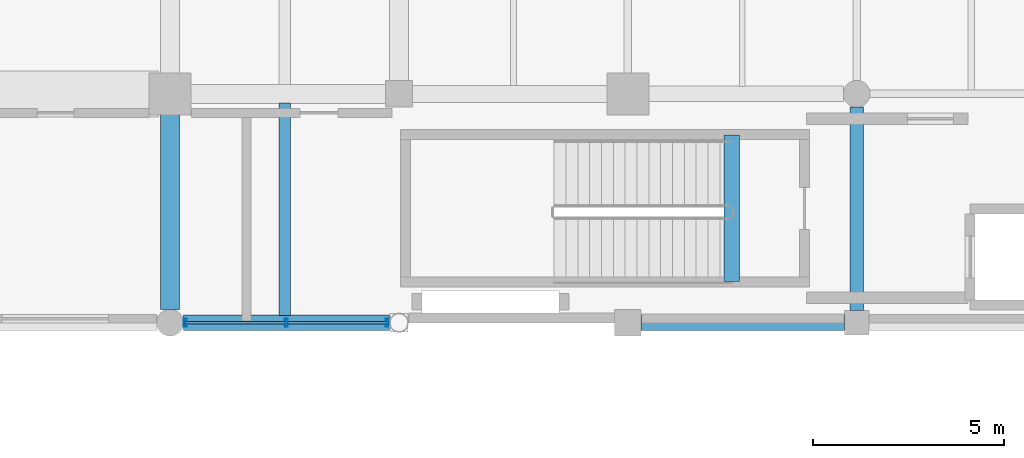
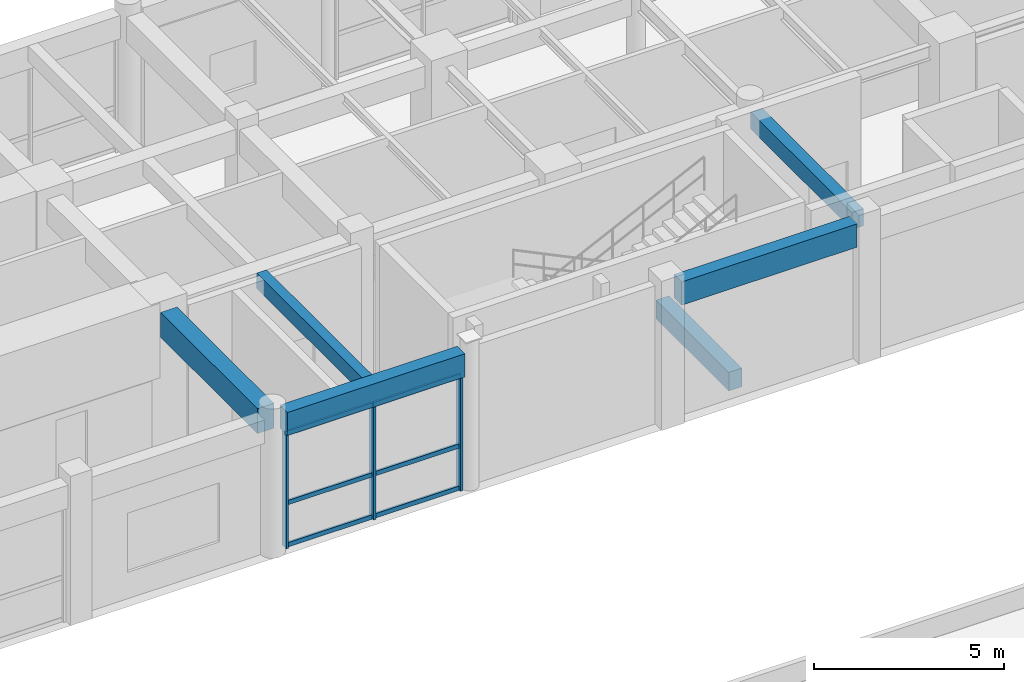
# One storey, part 58 of 123: 9 members, 6 beams, 1 element without a shape of its own.
"""IFC4 building model written with IfcOpenShell, lengths in metres."""

from ifc_helpers import new_model, si_unit, direction, frame, origin, origin_2d, place, context, subcontext, project, spatial, rectangle, hollow_rectangle, extrude, material, material_profile, profile_set, type_object, element, aggregate, save


model = new_model("IFC4")

# Units and contexts
model_context = context("Model", 3, precision=1e-05, world=origin(), true_north=direction((0.0, 1.0)))
body_context = subcontext(model_context, "Body", "Model", "MODEL_VIEW")
ifc_project = project(units=[si_unit("LENGTHUNIT", "METRE"), si_unit("AREAUNIT", "SQUARE_METRE"), si_unit("VOLUMEUNIT", "CUBIC_METRE"), si_unit("PLANEANGLEUNIT", "RADIAN"), si_unit("MASSUNIT", "GRAM", prefix="KILO"), si_unit("THERMODYNAMICTEMPERATUREUNIT", "KELVIN"), si_unit("POWERUNIT", "WATT")], contexts=[model_context])

# Site, building, storey
site_placement = place(None, origin())
site = spatial("IfcSite", under=ifc_project, at=site_placement, CompositionType="ELEMENT")
building_placement = place(site_placement, origin())
building = spatial("IfcBuilding", under=site, at=building_placement, Name="Phaisarnlok Congress Hotel", CompositionType="ELEMENT")
storey_placement = place(building_placement, frame((0.0, 0.0, 15.0)))
storey = spatial("IfcBuildingStorey", under=building, at=storey_placement, Name="L03", CompositionType="ELEMENT", Elevation=15.0)

# Beams
ifc_material_1 = material(Name="Concrete C40/50", Category="concrete")
ifc_material_profile_1 = material_profile(ifc_material_1, rectangle(XDim=0.35009765625, YDim=0.550048828125, at=origin_2d()), Name="RC 350x550")
ifc_profile_set_1 = profile_set([ifc_material_profile_1], Name="Concrete C40/50")
beam_type_1 = type_object("IfcBeamType", Name="BM-RC-350x550", PredefinedType="BEAM", material=ifc_profile_set_1)
beam_1_placement = place(storey_placement, frame((114.0, 108.320068359375, 4.175048828125), z_axis=(0.0, 1.0, 0.0), x_axis=(-1.0, 0.0, 0.0)))
element("IfcBeam", 1, at=beam_1_placement, inside=storey, type_object=beam_type_1, Name="Beam B-01", PredefinedType="BEAM", context=body_context, shape_type="SweptSolid", body=[
    extrude(rectangle(XDim=0.35009765625, YDim=0.550048828125, at=origin_2d()), origin(), (0.0, 0.0, 1.0), 5.3349609375),
])
ifc_material_profile_2 = material_profile(ifc_material_1, rectangle(XDim=0.39990234375, YDim=0.60009765625, at=origin_2d()), Name="RC 400x600")
ifc_profile_set_2 = profile_set([ifc_material_profile_2], Name="Concrete C40/50")
beam_type_2 = type_object("IfcBeamType", Name="BM-RC-400x600", PredefinedType="BEAM", material=ifc_profile_set_2)
beam_2_placement = place(storey_placement, frame((110.719970703125, 109.080078125, -0.300048828125), z_axis=(0.0, 1.0, 0.0), x_axis=(-1.0, 0.0, 0.0)))
element("IfcBeam", 2, at=beam_2_placement, inside=storey, type_object=beam_type_2, Name="Stair landing header beam B-02 (CORE-4 L03)", PredefinedType="BEAM", context=body_context, shape_type="SweptSolid", body=[
    extrude(rectangle(XDim=0.39990234375, YDim=0.60009765625, at=origin_2d()), origin(), (0.0, 0.0, 1.0), 3.83984375),
])
ifc_material_profile_3 = material_profile(ifc_material_1, rectangle(XDim=0.5, YDim=0.800048828125, at=origin_2d()), Name="RC 500x800")
ifc_profile_set_3 = profile_set([ifc_material_profile_3], Name="Concrete C40/50")
beam_type_3 = type_object("IfcBeamType", Name="BM-RC-500x800", PredefinedType="BEAM", material=ifc_profile_set_3)
beam_3_placement = place(storey_placement, frame((96.0, 108.344970703125, 4.050048828125), z_axis=(0.0, 1.0, 0.0), x_axis=(-1.0, 0.0, 0.0)))
element("IfcBeam", 3, at=beam_3_placement, inside=storey, type_object=beam_type_3, Name="Beam B-04", PredefinedType="BEAM", context=body_context, shape_type="SweptSolid", body=[
    extrude(rectangle(XDim=0.5, YDim=0.800048828125, at=origin_2d()), origin(), (0.0, 0.0, 1.0), 5.110107421875),
])

# Curtain wall, members
ifc_material_2 = material(Name="Thermally Broken Unitised Aluminium & Low-E Glazing", Category="aluminium")
curtain_wall_type = type_object("IfcCurtainWallType", Name="CW-UNIT-31", PredefinedType="NOTDEFINED", material=ifc_material_2)
curtain_wall_placement = place(storey_placement, origin())
curtain_wall = element("IfcCurtainWall", 4, at=curtain_wall_placement, inside=storey, type_object=curtain_wall_type, Name="Unitised curtain wall CW-31 (L03)", PredefinedType="NOTDEFINED")
ifc_material_3 = material(Name="Anodised Aluminium Alloy 6063-T6", Category="aluminium")
ifc_material_profile_4 = material_profile(ifc_material_3, hollow_rectangle(XDim=0.074951171875, YDim=0.219970703125, WallThickness=0.0048828125, at=origin_2d()), Name="ALU-M 75x220x5")
ifc_profile_set_4 = profile_set([ifc_material_profile_4], Name="Anodised Aluminium Alloy 6063-T6")
member_type_1 = type_object("IfcMemberType", Name="CWM-220", PredefinedType="MULLION", material=ifc_profile_set_4)
member_1_placement = place(storey_placement, frame((96.39990234375, 108.0, 0.0), z_axis=(0.0, 0.0, 1.0), x_axis=(1.0, 0.0, 0.0)))
member_1 = element("IfcMember", 5, at=member_1_placement, type_object=member_type_1, Name="Curtain wall mullion CWM-02", PredefinedType="MULLION", context=body_context, shape_type="SweptSolid", body=[
    extrude(hollow_rectangle(XDim=0.074951171875, YDim=0.219970703125, WallThickness=0.0048828125, at=origin_2d()), origin(), (0.0, 0.0, 1.0), 3.699951171875),
])
member_2_placement = place(storey_placement, frame((99.048095703125, 108.0, 0.0), z_axis=(0.0, 0.0, 1.0), x_axis=(1.0, 0.0, 0.0)))
member_2 = element("IfcMember", 6, at=member_2_placement, type_object=member_type_1, Name="Curtain wall mullion CWM-02", PredefinedType="MULLION", context=body_context, shape_type="SweptSolid", body=[
    extrude(hollow_rectangle(XDim=0.074951171875, YDim=0.219970703125, WallThickness=0.0048828125, at=origin_2d()), origin(), (0.0, 0.0, 1.0), 3.699951171875),
])
member_3_placement = place(storey_placement, frame((101.696044921875, 108.0, 0.0), z_axis=(0.0, 0.0, 1.0), x_axis=(1.0, 0.0, 0.0)))
member_3 = element("IfcMember", 7, at=member_3_placement, type_object=member_type_1, Name="Curtain wall mullion CWM-02", PredefinedType="MULLION", context=body_context, shape_type="SweptSolid", body=[
    extrude(hollow_rectangle(XDim=0.074951171875, YDim=0.219970703125, WallThickness=0.0048828125, at=origin_2d()), origin(), (0.0, 0.0, 1.0), 3.699951171875),
])
ifc_material_profile_5 = material_profile(ifc_material_3, hollow_rectangle(XDim=0.06494140625, YDim=0.139892578125, WallThickness=0.00390625, at=origin_2d()), Name="ALU-T 65x140x4")
ifc_profile_set_5 = profile_set([ifc_material_profile_5], Name="Anodised Aluminium Alloy 6063-T6")
member_type_2 = type_object("IfcMemberType", Name="CWT-150", PredefinedType="USERDEFINED", material=ifc_profile_set_5)
member_4_placement = place(storey_placement, frame((96.375, 108.0, 0.050048828125), z_axis=(1.0, 0.0, 0.0), x_axis=(0.0, 1.0, 0.0)))
member_4 = element("IfcMember", 8, at=member_4_placement, type_object=member_type_2, Name="Curtain wall transom CWT-01", ObjectType="TRANSOM", PredefinedType="USERDEFINED", context=body_context, shape_type="SweptSolid", body=[
    extrude(hollow_rectangle(XDim=0.06494140625, YDim=0.139892578125, WallThickness=0.00390625, at=origin_2d()), origin(), (0.0, 0.0, 1.0), 2.657958984375),
])
member_5_placement = place(storey_placement, frame((96.375, 108.0, 1.406005859375), z_axis=(1.0, 0.0, 0.0), x_axis=(0.0, 1.0, 0.0)))
member_5 = element("IfcMember", 9, at=member_5_placement, type_object=member_type_2, Name="Curtain wall transom CWT-01", ObjectType="TRANSOM", PredefinedType="USERDEFINED", context=body_context, shape_type="SweptSolid", body=[
    extrude(hollow_rectangle(XDim=0.06494140625, YDim=0.139892578125, WallThickness=0.00390625, at=origin_2d()), origin(), (0.0, 0.0, 1.0), 2.657958984375),
])
member_6_placement = place(storey_placement, frame((96.375, 108.0, 3.64990234375), z_axis=(1.0, 0.0, 0.0), x_axis=(0.0, 1.0, 0.0)))
member_6 = element("IfcMember", 10, at=member_6_placement, type_object=member_type_2, Name="Curtain wall transom CWT-01", ObjectType="TRANSOM", PredefinedType="USERDEFINED", context=body_context, shape_type="SweptSolid", body=[
    extrude(hollow_rectangle(XDim=0.06494140625, YDim=0.139892578125, WallThickness=0.00390625, at=origin_2d()), origin(), (0.0, 0.0, 1.0), 2.657958984375),
])
member_7_placement = place(storey_placement, frame((99.06298828125, 108.0, 0.050048828125), z_axis=(1.0, 0.0, 0.0), x_axis=(0.0, 1.0, 0.0)))
member_7 = element("IfcMember", 11, at=member_7_placement, type_object=member_type_2, Name="Curtain wall transom CWT-01", ObjectType="TRANSOM", PredefinedType="USERDEFINED", context=body_context, shape_type="SweptSolid", body=[
    extrude(hollow_rectangle(XDim=0.06494140625, YDim=0.139892578125, WallThickness=0.00390625, at=origin_2d()), origin(), (0.0, 0.0, 1.0), 2.657958984375),
])
member_8_placement = place(storey_placement, frame((99.06298828125, 108.0, 1.406005859375), z_axis=(1.0, 0.0, 0.0), x_axis=(0.0, 1.0, 0.0)))
member_8 = element("IfcMember", 12, at=member_8_placement, type_object=member_type_2, Name="Curtain wall transom CWT-01", ObjectType="TRANSOM", PredefinedType="USERDEFINED", context=body_context, shape_type="SweptSolid", body=[
    extrude(hollow_rectangle(XDim=0.06494140625, YDim=0.139892578125, WallThickness=0.00390625, at=origin_2d()), origin(), (0.0, 0.0, 1.0), 2.657958984375),
])
member_9_placement = place(storey_placement, frame((99.06298828125, 108.0, 3.64990234375), z_axis=(1.0, 0.0, 0.0), x_axis=(0.0, 1.0, 0.0)))
member_9 = element("IfcMember", 13, at=member_9_placement, type_object=member_type_2, Name="Curtain wall transom CWT-01", ObjectType="TRANSOM", PredefinedType="USERDEFINED", context=body_context, shape_type="SweptSolid", body=[
    extrude(hollow_rectangle(XDim=0.06494140625, YDim=0.139892578125, WallThickness=0.00390625, at=origin_2d()), origin(), (0.0, 0.0, 1.0), 2.657958984375),
])
aggregate(curtain_wall, [member_1, member_2, member_3, member_4, member_5, member_6, member_7, member_8, member_9])

# Beams
ifc_material_profile_6 = material_profile(ifc_material_1, rectangle(XDim=0.300048828125, YDim=0.5, at=origin_2d()), Name="RC 300x500")
ifc_profile_set_6 = profile_set([ifc_material_profile_6], Name="Concrete C40/50")
beam_type_4 = type_object("IfcBeamType", Name="JS-RC-300x500", PredefinedType="JOIST", material=ifc_profile_set_6)
beam_4_placement = place(storey_placement, frame((99.0, 108.195068359375, 4.199951171875), z_axis=(0.0, 1.0, 0.0), x_axis=(-1.0, 0.0, 0.0)))
element("IfcBeam", 14, at=beam_4_placement, inside=storey, type_object=beam_type_4, Name="Secondary floor joist J-01", PredefinedType="JOIST", context=body_context, shape_type="SweptSolid", body=[
    extrude(rectangle(XDim=0.300048828125, YDim=0.5, at=origin_2d()), origin(), (0.0, 0.0, 1.0), 5.559814453125),
])
ifc_material_profile_7 = material_profile(ifc_material_1, rectangle(XDim=0.39990234375, YDim=0.75, at=origin_2d()), Name="RC 400x750")
ifc_profile_set_7 = profile_set([ifc_material_profile_7], Name="Concrete C40/50")
beam_type_5 = type_object("IfcBeamType", Name="SP-RC-400x750", PredefinedType="SPANDREL", material=ifc_profile_set_7)
beam_5_placement = place(storey_placement, frame((96.344970703125, 108.0, 4.074951171875), z_axis=(1.0, 0.0, 0.0), x_axis=(0.0, 1.0, 0.0)))
element("IfcBeam", 15, at=beam_5_placement, inside=storey, type_object=beam_type_5, Name="Beam SP-02", PredefinedType="SPANDREL", context=body_context, shape_type="SweptSolid", body=[
    extrude(rectangle(XDim=0.39990234375, YDim=0.75, at=origin_2d()), origin(), (0.0, 0.0, 1.0), 5.406005859375),
])
beam_6_placement = place(storey_placement, frame((108.344970703125, 108.0, 4.074951171875), z_axis=(1.0, 0.0, 0.0), x_axis=(0.0, 1.0, 0.0)))
element("IfcBeam", 16, at=beam_6_placement, inside=storey, type_object=beam_type_5, Name="Beam SP-02", PredefinedType="SPANDREL", context=body_context, shape_type="SweptSolid", body=[
    extrude(rectangle(XDim=0.39990234375, YDim=0.75, at=origin_2d()), origin(), (0.0, 0.0, 1.0), 5.3349609375),
])

save(model, "model.ifc")
